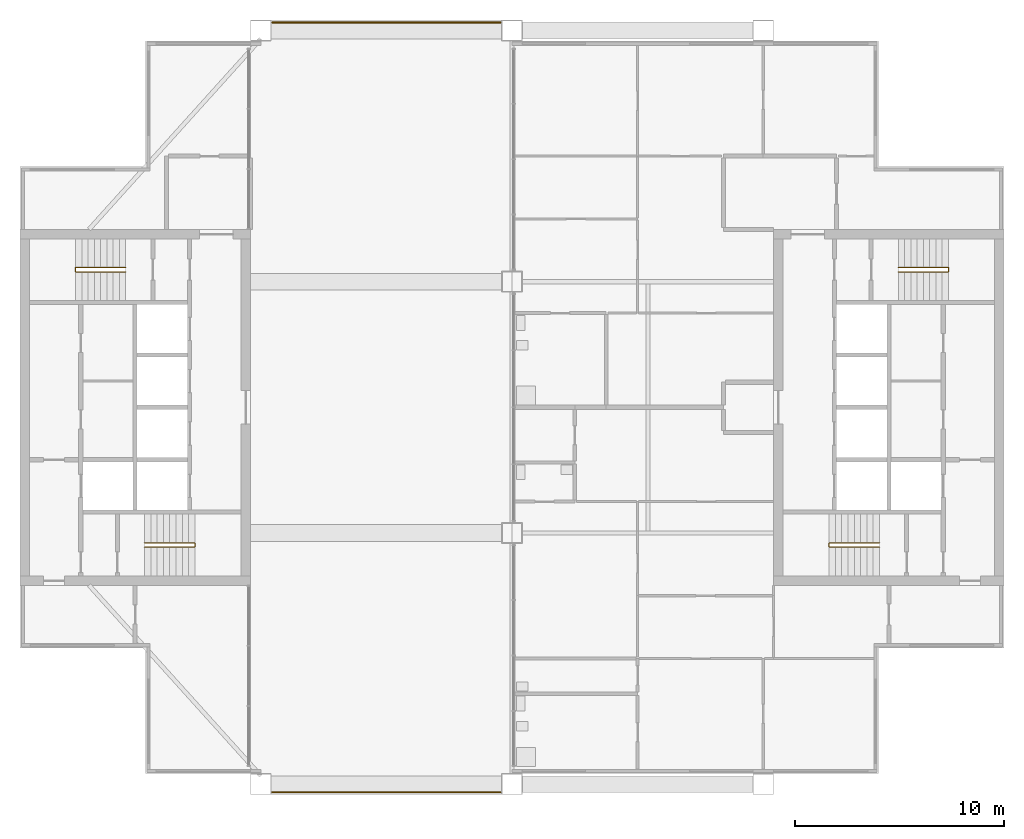
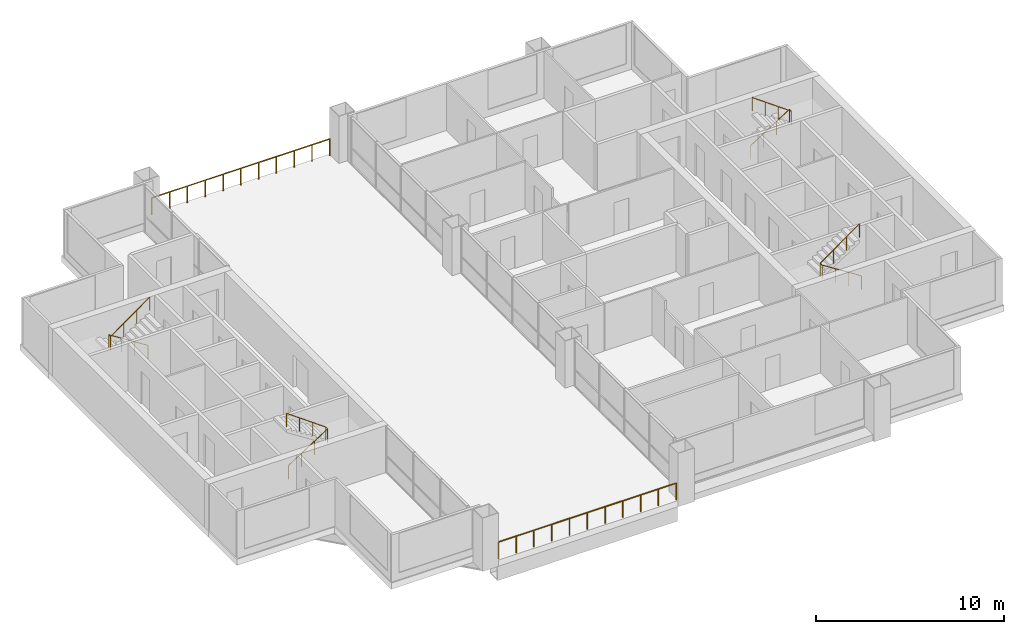
# One storey, part 11 of 12: 6 railings.
"""IFC4 building model written with IfcOpenShell, lengths in metres."""

from ifc_helpers import new_model, si_unit, direction, frame, origin, origin_2d, place, context, subcontext, project, spatial, circle, extrude, material, type_object, element, save


model = new_model("IFC4")

# Units and contexts
model_context = context("Model", 3, precision=1e-05, world=origin(), true_north=direction((0.0, 1.0)))
body_context = subcontext(model_context, "Body", "Model", "MODEL_VIEW")
ifc_project = project(units=[si_unit("LENGTHUNIT", "METRE"), si_unit("AREAUNIT", "SQUARE_METRE"), si_unit("VOLUMEUNIT", "CUBIC_METRE"), si_unit("PLANEANGLEUNIT", "RADIAN"), si_unit("MASSUNIT", "GRAM", prefix="KILO")], contexts=[model_context])

# Site, building, storey
site_placement = place(None, origin())
site = spatial("IfcSite", under=ifc_project, at=site_placement, CompositionType="ELEMENT")
building_placement = place(site_placement, origin())
building = spatial("IfcBuilding", under=site, at=building_placement, Name="Kitamizu Gate Tower and Museum", CompositionType="ELEMENT")
storey_placement = place(building_placement, frame((0.0, 0.0, 249.0)))
storey = spatial("IfcBuildingStorey", under=building, at=storey_placement, Name="L67", CompositionType="ELEMENT", Elevation=249.0)

# Railings
ifc_material_1 = material(Name="Stainless steel SUS304 with toughened glass infill", Category="steel")
railing_type_1 = type_object("IfcRailingType", Name="GUARD 1100", PredefinedType="GUARDRAIL", material=ifc_material_1)
for number, where, name in (
    (1, (24.550048828125, 11.6201171875, 0.0), "Guard L67 portal S"),
    (2, (24.550048828125, 48.3798828125, 0.0), "Guard L67 portal N"),
):
    element("IfcRailing", number, at=place(storey_placement, frame(where)), inside=storey, type_object=railing_type_1, Name=name, PredefinedType="GUARDRAIL", context=body_context, shape_type="SweptSolid", body=[
        extrude(circle(Radius=0.02490234375, at=origin_2d()), frame((0.0, 0.0, 1.0751953125), z_axis=(1.0, 0.0, 0.0), x_axis=(0.0, 1.0, 0.0)), (0.0, 0.0, 1.0), 10.89990234375),
        extrude(circle(Radius=0.02490234375, at=origin_2d()), origin(), (0.0, 0.0, 1.0), 1.050048828125),
        extrude(circle(Radius=0.02490234375, at=origin_2d()), frame((1.090087890625, 0.0, 0.0)), (0.0, 0.0, 1.0), 1.050048828125),
        extrude(circle(Radius=0.02490234375, at=origin_2d()), frame((2.179931640625, 0.0, 0.0)), (0.0, 0.0, 1.0), 1.050048828125),
        extrude(circle(Radius=0.02490234375, at=origin_2d()), frame((3.27001953125, 0.0, 0.0)), (0.0, 0.0, 1.0), 1.050048828125),
        extrude(circle(Radius=0.02490234375, at=origin_2d()), frame((4.35986328125, 0.0, 0.0)), (0.0, 0.0, 1.0), 1.050048828125),
        extrude(circle(Radius=0.02490234375, at=origin_2d()), frame((5.449951171875, 0.0, 0.0)), (0.0, 0.0, 1.0), 1.050048828125),
        extrude(circle(Radius=0.02490234375, at=origin_2d()), frame((6.5400390625, 0.0, 0.0)), (0.0, 0.0, 1.0), 1.050048828125),
        extrude(circle(Radius=0.02490234375, at=origin_2d()), frame((7.6298828125, 0.0, 0.0)), (0.0, 0.0, 1.0), 1.050048828125),
        extrude(circle(Radius=0.02490234375, at=origin_2d()), frame((8.719970703125, 0.0, 0.0)), (0.0, 0.0, 1.0), 1.050048828125),
        extrude(circle(Radius=0.02490234375, at=origin_2d()), frame((9.809814453125, 0.0, 0.0)), (0.0, 0.0, 1.0), 1.050048828125),
        extrude(circle(Radius=0.02490234375, at=origin_2d()), frame((10.89990234375, 0.0, 0.0)), (0.0, 0.0, 1.0), 1.050048828125),
    ])
ifc_material_2 = material(Name="Stainless steel SUS304", Category="steel")
railing_type_2 = type_object("IfcRailingType", Name="Stair handrail 900", PredefinedType="HANDRAIL", material=ifc_material_2)
railing_1_placement = place(storey_placement, frame((18.449951171875, 23.324951171875, 0.191650390625)))
element("IfcRailing", 3, at=railing_1_placement, inside=storey, type_object=railing_type_2, Name="Stair handrail ST1", PredefinedType="HANDRAIL", context=body_context, shape_type="SweptSolid", body=[
    extrude(circle(Radius=0.02392578125, at=origin_2d()), frame((0.0, 0.0, 0.8759765625), z_axis=(0.842693018954, 0.0, 0.538394349715), x_axis=(0.0, 1.0, 0.0)), (0.0, 0.0, 1.0), 2.84814453125),
    extrude(circle(Radius=0.02392578125, at=origin_2d()), frame((2.400146484375, 0.0, 2.4091796875), z_axis=(0.0, 1.0, 0.0), x_axis=(-1.0, 0.0, 0.0)), (0.0, 0.0, 1.0), 0.199951171875),
    extrude(circle(Radius=0.02392578125, at=origin_2d()), frame((2.400146484375, 0.199951171875, 2.4091796875), z_axis=(-0.812055739374, 0.0, 0.583579879837), x_axis=(0.0, -1.0, 0.0)), (0.0, 0.0, 1.0), 2.95556640625),
    extrude(circle(Radius=0.02099609375, at=origin_2d()), origin(), (0.0, 0.0, 1.0), 0.851806640625),
    extrude(circle(Radius=0.02099609375, at=origin_2d()), frame((0.800048828125, 0.0, 0.51123046875)), (0.0, 0.0, 1.0), 0.851806640625),
    extrude(circle(Radius=0.02099609375, at=origin_2d()), frame((1.60009765625, 0.0, 1.022216796875)), (0.0, 0.0, 1.0), 0.851806640625),
    extrude(circle(Radius=0.02099609375, at=origin_2d()), frame((2.400146484375, 0.0, 1.533447265625)), (0.0, 0.0, 1.0), 0.851806640625),
    extrude(circle(Radius=0.02099609375, at=origin_2d()), frame((2.400146484375, 0.199951171875, 1.533447265625)), (0.0, 0.0, 1.0), 0.851806640625),
    extrude(circle(Radius=0.02099609375, at=origin_2d()), frame((1.60009765625, 0.199951171875, 2.1083984375)), (0.0, 0.0, 1.0), 0.851806640625),
    extrude(circle(Radius=0.02099609375, at=origin_2d()), frame((0.800048828125, 0.199951171875, 2.683349609375)), (0.0, 0.0, 1.0), 0.851806640625),
    extrude(circle(Radius=0.02099609375, at=origin_2d()), frame((0.0, 0.199951171875, 3.25830078125)), (0.0, 0.0, 1.0), 0.851806640625),
])
railing_2_placement = place(storey_placement, frame((17.550048828125, 36.675048828125, 0.191650390625)))
element("IfcRailing", 4, at=railing_2_placement, inside=storey, type_object=railing_type_2, Name="Stair handrail ST2", PredefinedType="HANDRAIL", context=body_context, shape_type="SweptSolid", body=[
    extrude(circle(Radius=0.02392578125, at=origin_2d()), frame((0.0, 0.0, 0.8759765625), z_axis=(-0.842693018954, 0.0, 0.538394349715), x_axis=(0.0, -1.0, 0.0)), (0.0, 0.0, 1.0), 2.84814453125),
    extrude(circle(Radius=0.02392578125, at=origin_2d()), frame((-2.400146484375, 0.0, 2.4091796875), z_axis=(0.0, -1.0, 0.0), x_axis=(1.0, 0.0, 0.0)), (0.0, 0.0, 1.0), 0.199951171875),
    extrude(circle(Radius=0.02392578125, at=origin_2d()), frame((-2.400146484375, -0.199951171875, 2.4091796875), z_axis=(0.812055739374, 0.0, 0.583579879837), x_axis=(0.0, 1.0, 0.0)), (0.0, 0.0, 1.0), 2.95556640625),
    extrude(circle(Radius=0.02099609375, at=origin_2d()), origin(), (0.0, 0.0, 1.0), 0.851806640625),
    extrude(circle(Radius=0.02099609375, at=origin_2d()), frame((-0.800048828125, 0.0, 0.51123046875)), (0.0, 0.0, 1.0), 0.851806640625),
    extrude(circle(Radius=0.02099609375, at=origin_2d()), frame((-1.60009765625, 0.0, 1.022216796875)), (0.0, 0.0, 1.0), 0.851806640625),
    extrude(circle(Radius=0.02099609375, at=origin_2d()), frame((-2.400146484375, 0.0, 1.533447265625)), (0.0, 0.0, 1.0), 0.851806640625),
    extrude(circle(Radius=0.02099609375, at=origin_2d()), frame((-2.400146484375, -0.199951171875, 1.533447265625)), (0.0, 0.0, 1.0), 0.851806640625),
    extrude(circle(Radius=0.02099609375, at=origin_2d()), frame((-1.60009765625, -0.199951171875, 2.1083984375)), (0.0, 0.0, 1.0), 0.851806640625),
    extrude(circle(Radius=0.02099609375, at=origin_2d()), frame((-0.800048828125, -0.199951171875, 2.683349609375)), (0.0, 0.0, 1.0), 0.851806640625),
    extrude(circle(Radius=0.02099609375, at=origin_2d()), frame((0.0, -0.199951171875, 3.25830078125)), (0.0, 0.0, 1.0), 0.851806640625),
])
railing_3_placement = place(storey_placement, frame((53.550048828125, 23.324951171875, 0.191650390625)))
element("IfcRailing", 5, at=railing_3_placement, inside=storey, type_object=railing_type_2, Name="Stair handrail ST3", PredefinedType="HANDRAIL", context=body_context, shape_type="SweptSolid", body=[
    extrude(circle(Radius=0.02392578125, at=origin_2d()), frame((0.0, 0.0, 0.8759765625), z_axis=(-0.842693018954, 0.0, 0.538394349715), x_axis=(0.0, -1.0, 0.0)), (0.0, 0.0, 1.0), 2.84814453125),
    extrude(circle(Radius=0.02392578125, at=origin_2d()), frame((-2.400146484375, 0.0, 2.4091796875), z_axis=(0.0, 1.0, 0.0), x_axis=(-1.0, 0.0, 0.0)), (0.0, 0.0, 1.0), 0.199951171875),
    extrude(circle(Radius=0.02392578125, at=origin_2d()), frame((-2.400146484375, 0.199951171875, 2.4091796875), z_axis=(0.812055739374, 0.0, 0.583579879837), x_axis=(0.0, 1.0, 0.0)), (0.0, 0.0, 1.0), 2.95556640625),
    extrude(circle(Radius=0.02099609375, at=origin_2d()), origin(), (0.0, 0.0, 1.0), 0.851806640625),
    extrude(circle(Radius=0.02099609375, at=origin_2d()), frame((-0.800048828125, 0.0, 0.51123046875)), (0.0, 0.0, 1.0), 0.851806640625),
    extrude(circle(Radius=0.02099609375, at=origin_2d()), frame((-1.60009765625, 0.0, 1.022216796875)), (0.0, 0.0, 1.0), 0.851806640625),
    extrude(circle(Radius=0.02099609375, at=origin_2d()), frame((-2.400146484375, 0.0, 1.533447265625)), (0.0, 0.0, 1.0), 0.851806640625),
    extrude(circle(Radius=0.02099609375, at=origin_2d()), frame((-2.400146484375, 0.199951171875, 1.533447265625)), (0.0, 0.0, 1.0), 0.851806640625),
    extrude(circle(Radius=0.02099609375, at=origin_2d()), frame((-1.60009765625, 0.199951171875, 2.1083984375)), (0.0, 0.0, 1.0), 0.851806640625),
    extrude(circle(Radius=0.02099609375, at=origin_2d()), frame((-0.800048828125, 0.199951171875, 2.683349609375)), (0.0, 0.0, 1.0), 0.851806640625),
    extrude(circle(Radius=0.02099609375, at=origin_2d()), frame((0.0, 0.199951171875, 3.25830078125)), (0.0, 0.0, 1.0), 0.851806640625),
])
railing_4_placement = place(storey_placement, frame((54.449951171875, 36.675048828125, 0.191650390625)))
element("IfcRailing", 6, at=railing_4_placement, inside=storey, type_object=railing_type_2, Name="Stair handrail ST4", PredefinedType="HANDRAIL", context=body_context, shape_type="SweptSolid", body=[
    extrude(circle(Radius=0.02392578125, at=origin_2d()), frame((0.0, 0.0, 0.8759765625), z_axis=(0.842693018954, 0.0, 0.538394349715), x_axis=(0.0, 1.0, 0.0)), (0.0, 0.0, 1.0), 2.84814453125),
    extrude(circle(Radius=0.02392578125, at=origin_2d()), frame((2.400146484375, 0.0, 2.4091796875), z_axis=(0.0, -1.0, 0.0), x_axis=(1.0, 0.0, 0.0)), (0.0, 0.0, 1.0), 0.199951171875),
    extrude(circle(Radius=0.02392578125, at=origin_2d()), frame((2.400146484375, -0.199951171875, 2.4091796875), z_axis=(-0.812055739374, 0.0, 0.583579879837), x_axis=(0.0, -1.0, 0.0)), (0.0, 0.0, 1.0), 2.95556640625),
    extrude(circle(Radius=0.02099609375, at=origin_2d()), origin(), (0.0, 0.0, 1.0), 0.851806640625),
    extrude(circle(Radius=0.02099609375, at=origin_2d()), frame((0.800048828125, 0.0, 0.51123046875)), (0.0, 0.0, 1.0), 0.851806640625),
    extrude(circle(Radius=0.02099609375, at=origin_2d()), frame((1.60009765625, 0.0, 1.022216796875)), (0.0, 0.0, 1.0), 0.851806640625),
    extrude(circle(Radius=0.02099609375, at=origin_2d()), frame((2.400146484375, 0.0, 1.533447265625)), (0.0, 0.0, 1.0), 0.851806640625),
    extrude(circle(Radius=0.02099609375, at=origin_2d()), frame((2.400146484375, -0.199951171875, 1.533447265625)), (0.0, 0.0, 1.0), 0.851806640625),
    extrude(circle(Radius=0.02099609375, at=origin_2d()), frame((1.60009765625, -0.199951171875, 2.1083984375)), (0.0, 0.0, 1.0), 0.851806640625),
    extrude(circle(Radius=0.02099609375, at=origin_2d()), frame((0.800048828125, -0.199951171875, 2.683349609375)), (0.0, 0.0, 1.0), 0.851806640625),
    extrude(circle(Radius=0.02099609375, at=origin_2d()), frame((0.0, -0.199951171875, 3.25830078125)), (0.0, 0.0, 1.0), 0.851806640625),
])

save(model, "model.ifc")
